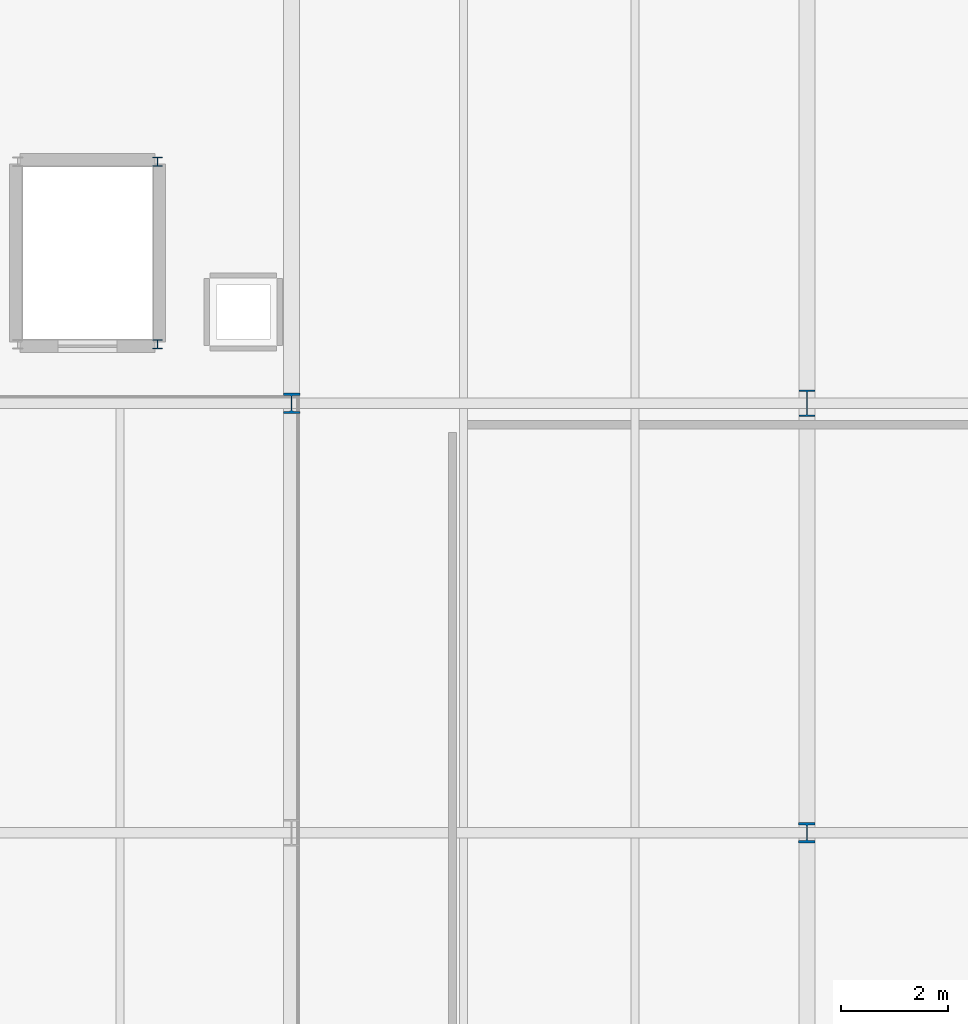
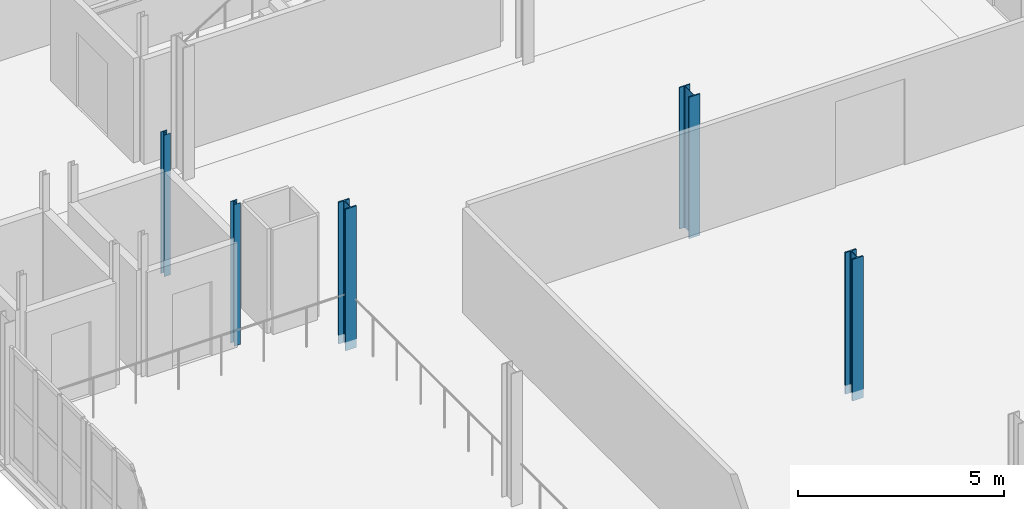
# One storey, part 12 of 78: 5 columns.
"""IFC4 building model written with IfcOpenShell, lengths in metres."""

import ifcopenshell
import ifcopenshell.guid

model = None  # the IFC model being written
_history = None  # IfcOwnerHistory: only IFC2X3 demands one
_inside = {}  # id of a spatial element -> (the spatial element, [elements in it])
_under = {}  # id of a project, library or spatial element -> (it, [spatial elements below it])
_declared = {}  # id of a project -> (the project, [libraries it declares])
_typed = {}  # id of a type object -> (the type object, [elements of that type])
_made_of = {}  # id of a material, layer set ... -> (it, [elements and type objects made of it])


def new_model(schema):
    """Start an empty IFC model of exactly this schema.

    Asked for "IFC4X3", IfcOpenShell would pick the latest addendum, in which some entities
    have other attributes; the version numbers below select the first issue.
    IFC2X3 requires an IfcOwnerHistory on every rooted entity: one is made here for all.
    """
    global model, _history
    if schema == "IFC4X3":
        model = ifcopenshell.file(schema_version=(4, 3, 0, 0))
    else:
        model = ifcopenshell.file(schema=schema)
    _inside.clear()
    _under.clear()
    _declared.clear()
    _typed.clear()
    _made_of.clear()
    _history = None
    if model.schema == "IFC2X3":
        org = make("IfcOrganization", Name="unknown")
        user = make(
            "IfcPersonAndOrganization",
            ThePerson=make("IfcPerson", FamilyName="unknown"),
            TheOrganization=org,
        )
        app = make(
            "IfcApplication",
            ApplicationDeveloper=org,
            Version="unknown",
            ApplicationFullName="unknown",
            ApplicationIdentifier="unknown",
        )
        _history = make(
            "IfcOwnerHistory",
            OwningUser=user,
            OwningApplication=app,
            ChangeAction="ADDED",
            CreationDate=0,
        )
    return model


def make(cls, **values):
    """One entity of the class cls with the attributes given. An attribute that is None is left unset."""
    return model.create_entity(
        cls, **{name: value for name, value in values.items() if value is not None}
    )


def rooted(cls, **values):
    """An entity with a GlobalId (a new one), such as an element, a storey or a relation."""
    return make(cls, GlobalId=ifcopenshell.guid.new(), OwnerHistory=_history, **values)


def si_unit(unit_type, name, prefix=None):
    """IfcSIUnit, for example si_unit("LENGTHUNIT", "METRE", prefix="MILLI")."""
    return make("IfcSIUnit", UnitType=unit_type, Prefix=prefix, Name=name)


def assignment(units):
    """IfcUnitAssignment: the units of a project."""
    return None if units is None else make("IfcUnitAssignment", Units=units)


def point(xyz):
    """IfcCartesianPoint."""
    return None if xyz is None else make("IfcCartesianPoint", Coordinates=xyz)


def direction(xyz):
    """IfcDirection."""
    return None if xyz is None else make("IfcDirection", DirectionRatios=xyz)


def frame(location, z_axis=None, x_axis=None):
    """IfcAxis2Placement3D, a coordinate frame: its origin and axes. An axis left out is left unset."""
    return make(
        "IfcAxis2Placement3D",
        Location=point(location),
        Axis=direction(z_axis),
        RefDirection=direction(x_axis),
    )


def frame_2d(location, x_axis=None):
    """IfcAxis2Placement2D, a coordinate frame in the plane: its origin and x axis."""
    return make(
        "IfcAxis2Placement2D", Location=point(location), RefDirection=direction(x_axis)
    )


def origin():
    """The frame at (0, 0, 0) with its axes left unset."""
    return frame((0.0, 0.0, 0.0))


def origin_2d():
    """The frame at (0, 0) in the plane with its x axis left unset."""
    return frame_2d((0.0, 0.0))


def place(relative_to, where):
    """IfcLocalPlacement: puts the frame where relative to a parent placement (None: the world)."""
    return make(
        "IfcLocalPlacement", PlacementRelTo=relative_to, RelativePlacement=where
    )


def context(
    kind, dimensions, precision=None, world=None, true_north=None, identifier=None
):
    """IfcGeometricRepresentationContext, for example the 3D "Model" context."""
    return make(
        "IfcGeometricRepresentationContext",
        ContextIdentifier=identifier,
        ContextType=kind,
        CoordinateSpaceDimension=dimensions,
        Precision=precision,
        WorldCoordinateSystem=world,
        TrueNorth=true_north,
    )


def subcontext(parent, identifier, kind, view, scale=None):
    """IfcGeometricRepresentationSubContext, for example "Body" below "Model"."""
    return make(
        "IfcGeometricRepresentationSubContext",
        ContextIdentifier=identifier,
        ContextType=kind,
        ParentContext=parent,
        TargetScale=scale,
        TargetView=view,
    )


def project(units=None, contexts=None):
    """IfcProject with its units and contexts."""
    return rooted(
        "IfcProject",
        Name="project",
        RepresentationContexts=contexts,
        UnitsInContext=assignment(units),
    )


def spatial(cls, under=None, at=None, **own):
    """A site, building, storey or space (cls), placed at a placement, below another one or the project."""
    s = rooted(cls, ObjectPlacement=at, **own)
    if under is not None:
        _under.setdefault(under.id(), (under, []))[1].append(s)
    return s


def profile(cls, at=None, kind="AREA", **sizes):
    """A parametric profile (cls). Its sizes go by their IFC names, for example OverallWidth=200.0."""
    return make(cls, ProfileType=kind, Position=at, **sizes)


def i_section(**sizes):
    """IfcIShapeProfileDef."""
    return profile("IfcIShapeProfileDef", **sizes)


def extrude(swept, where, along, depth):
    """IfcExtrudedAreaSolid: the profile swept, set in the frame where, extruded along a direction by depth."""
    return make(
        "IfcExtrudedAreaSolid",
        SweptArea=swept,
        Position=where,
        ExtrudedDirection=direction(along),
        Depth=depth,
    )


def shape(context_of_items, identifier, shape_type, items):
    """IfcShapeRepresentation: the items that make up one representation, for example the "Body"."""
    return make(
        "IfcShapeRepresentation",
        ContextOfItems=context_of_items,
        RepresentationIdentifier=identifier,
        RepresentationType=shape_type,
        Items=items,
    )


def material(Name=None, Category=None):
    """IfcMaterial."""
    return make("IfcMaterial", Name=Name, Category=Category)


def material_profile(
    of_material, cross_section, Name=None, Category=None, Priority=None
):
    """IfcMaterialProfile: a cross section and its material."""
    return make(
        "IfcMaterialProfile",
        Name=Name,
        Material=of_material,
        Profile=cross_section,
        Priority=Priority,
        Category=Category,
    )


def profile_set(profiles, Name=None, composite=None):
    """IfcMaterialProfileSet."""
    return make(
        "IfcMaterialProfileSet",
        Name=Name,
        MaterialProfiles=profiles,
        CompositeProfile=composite,
    )


def made_of(thing, what):
    """Note that an element or type object is made of a material, layer set ...; save() writes the relation."""
    if what is not None:
        _made_of.setdefault(what.id(), (what, []))[1].append(thing)
    return thing


def type_object(cls, material=None, **own):
    """A type object (cls), such as IfcWallType, which elements share."""
    return made_of(rooted(cls, **own), material)


def element(
    cls,
    number,
    at=None,
    inside=None,
    cuts=None,
    type_object=None,
    material=None,
    context=None,
    identifier="Body",
    shape_type=None,
    held_by="IfcProductDefinitionShape",
    body=None,
    shapes=None,
    **own,
):
    """One element of the class cls, such as IfcWall. Its Tag is "e" and its number.

    at: its placement. inside: the storey or other place that contains it. cuts: it is an
    opening in that element (IfcRelVoidsElement). A single representation is given by context,
    identifier, shape_type and body (its items); several are given by shapes. held_by: the class
    of the entity that holds the representations. save() writes the other relations.
    """
    e = rooted(cls, Tag="e%d" % number, ObjectPlacement=at, **own)
    if body is not None:
        shapes = [shape(context, identifier, shape_type, body)]
    if shapes is not None:
        e.Representation = make(held_by, Representations=shapes)
    if inside is not None:
        _inside.setdefault(inside.id(), (inside, []))[1].append(e)
    if cuts is not None:
        rooted(
            "IfcRelVoidsElement", RelatingBuildingElement=cuts, RelatedOpeningElement=e
        )
    if type_object is not None:
        _typed.setdefault(type_object.id(), (type_object, []))[1].append(e)
    return made_of(e, material)


def aggregate(whole, parts):
    """IfcRelAggregates: a whole, such as a stair, and the parts it consists of."""
    return rooted("IfcRelAggregates", RelatingObject=whole, RelatedObjects=parts)


def save(model, path):
    """Write the relations noted so far, then the file.

    IfcRelAggregates (storeys below a building ...), IfcRelContainedInSpatialStructure (elements
    in a storey), IfcRelDefinesByType, IfcRelAssociatesMaterial and IfcRelDeclares: one each for
    every whole, place, type object, material and project.
    """
    for whole, parts in _under.values():
        aggregate(whole, parts)
    for where, things in _inside.values():
        rooted(
            "IfcRelContainedInSpatialStructure",
            RelatedElements=things,
            RelatingStructure=where,
        )
    for kind, things in _typed.values():
        rooted("IfcRelDefinesByType", RelatedObjects=things, RelatingType=kind)
    for what, things in _made_of.values():
        rooted("IfcRelAssociatesMaterial", RelatedObjects=things, RelatingMaterial=what)
    for by, libraries in _declared.values():
        rooted("IfcRelDeclares", RelatingContext=by, RelatedDefinitions=libraries)
    model.write(path)


model = new_model("IFC4")

# Units and contexts
model_context = context("Model", 3, precision=1e-05, world=origin(), true_north=direction((0.0, 1.0)))
body_context = subcontext(model_context, "Body", "Model", "MODEL_VIEW")
ifc_project = project(units=[si_unit("LENGTHUNIT", "METRE"), si_unit("AREAUNIT", "SQUARE_METRE"), si_unit("VOLUMEUNIT", "CUBIC_METRE"), si_unit("PLANEANGLEUNIT", "RADIAN"), si_unit("MASSUNIT", "GRAM", prefix="KILO")], contexts=[model_context])

# Site, building, storey
site_placement = place(None, origin())
site = spatial("IfcSite", under=ifc_project, at=site_placement, CompositionType="ELEMENT")
building_placement = place(site_placement, origin())
building = spatial("IfcBuilding", under=site, at=building_placement, Name="Alderhovde Museum", CompositionType="ELEMENT")
storey_placement = place(building_placement, frame((0.0, 0.0, 4.5)))
storey = spatial("IfcBuildingStorey", under=building, at=storey_placement, Name="L01", CompositionType="ELEMENT", Elevation=4.5)

# Columns
ifc_material_1 = material(Name="Steel S355J2", Category="steel")
ifc_material_profile_1 = material_profile(ifc_material_1, i_section(OverallWidth=0.179931640625, OverallDepth=0.1708984375, WebThickness=0.006103515625, FlangeThickness=0.009521484375, FilletRadius=0.014892578125, at=origin_2d()), Name="HEA 180")
ifc_profile_set_1 = profile_set([ifc_material_profile_1], Name="Steel S355J2")
column_type_1 = type_object("IfcColumnType", Name="COL-HEA180", PredefinedType="COLUMN", material=ifc_profile_set_1)
for number, where, z_axis, x_axis, name in (
    (1, (26.300048828125, 73.10009765625, 0.0), (0.0, 0.0, 1.0), (1.0, 0.0, 0.0), "L01 Lift PL-02 Shaft Column 2"),
    (2, (26.300048828125, 76.5, 0.0), (0.0, 0.0, 1.0), (1.0, 0.0, 0.0), "L01 Lift PL-02 Shaft Column 3"),
):
    element("IfcColumn", number, at=place(storey_placement, frame(where, z_axis=z_axis, x_axis=x_axis)), inside=storey, type_object=column_type_1, Name=name, PredefinedType="COLUMN", context=body_context, shape_type="SweptSolid", body=[
        extrude(i_section(OverallWidth=0.179931640625, OverallDepth=0.1708984375, WebThickness=0.006103515625, FlangeThickness=0.009521484375, FilletRadius=0.014892578125, at=origin_2d()), origin(), (0.0, 0.0, 1.0), 4.199951171875),
    ])
ifc_material_2 = material(Name="Steel S355J2", Category="steel")
ifc_material_profile_2 = material_profile(ifc_material_2, i_section(OverallWidth=0.300048828125, OverallDepth=0.5, WebThickness=0.014404296875, FlangeThickness=0.028076171875, FilletRadius=0.027099609375, at=origin_2d()), Name="HEB 500")
ifc_profile_set_2 = profile_set([ifc_material_profile_2], Name="Steel S355J2")
column_type_2 = type_object("IfcColumnType", Name="COL-HEB500", PredefinedType="COLUMN", material=ifc_profile_set_2)
column_placement = place(storey_placement, frame((38.39990234375, 72.0, -0.260009765625), z_axis=(0.0, 0.0, 1.0), x_axis=(1.0, 0.0, 0.0)))
element("IfcColumn", 3, at=column_placement, inside=storey, type_object=column_type_2, Name="L01 Column (38.4, 72.0)", PredefinedType="COLUMN", context=body_context, shape_type="SweptSolid", body=[
    extrude(i_section(OverallWidth=0.300048828125, OverallDepth=0.5, WebThickness=0.014404296875, FlangeThickness=0.028076171875, FilletRadius=0.027099609375, at=origin_2d()), origin(), (0.0, 0.0, 1.0), 4.199951171875),
])
ifc_material_3 = material(Name="Steel S355J2", Category="steel")
ifc_material_profile_3 = material_profile(ifc_material_3, i_section(OverallWidth=0.30908203125, OverallDepth=0.376953125, WebThickness=0.02099609375, FlangeThickness=0.0400390625, FilletRadius=0.027099609375, at=origin_2d()), Name="HEM 340")
ifc_profile_set_3 = profile_set([ifc_material_profile_3], Name="Steel S355J2")
column_type_3 = type_object("IfcColumnType", Name="COL-HEM340", PredefinedType="COLUMN", material=ifc_profile_set_3)
for number, where, z_axis, x_axis, name in (
    (4, (28.800048828125, 72.0, -0.260009765625), (0.0, 0.0, 1.0), (1.0, 0.0, 0.0), "L01 Column (28.8, 72.0)"),
    (5, (38.39990234375, 64.0, -0.260009765625), (0.0, 0.0, 1.0), (1.0, 0.0, 0.0), "L01 Column (38.4, 64.0)"),
):
    element("IfcColumn", number, at=place(storey_placement, frame(where, z_axis=z_axis, x_axis=x_axis)), inside=storey, type_object=column_type_3, Name=name, PredefinedType="COLUMN", context=body_context, shape_type="SweptSolid", body=[
        extrude(i_section(OverallWidth=0.30908203125, OverallDepth=0.376953125, WebThickness=0.02099609375, FlangeThickness=0.0400390625, FilletRadius=0.027099609375, at=origin_2d()), origin(), (0.0, 0.0, 1.0), 4.199951171875),
    ])

save(model, "model.ifc")
